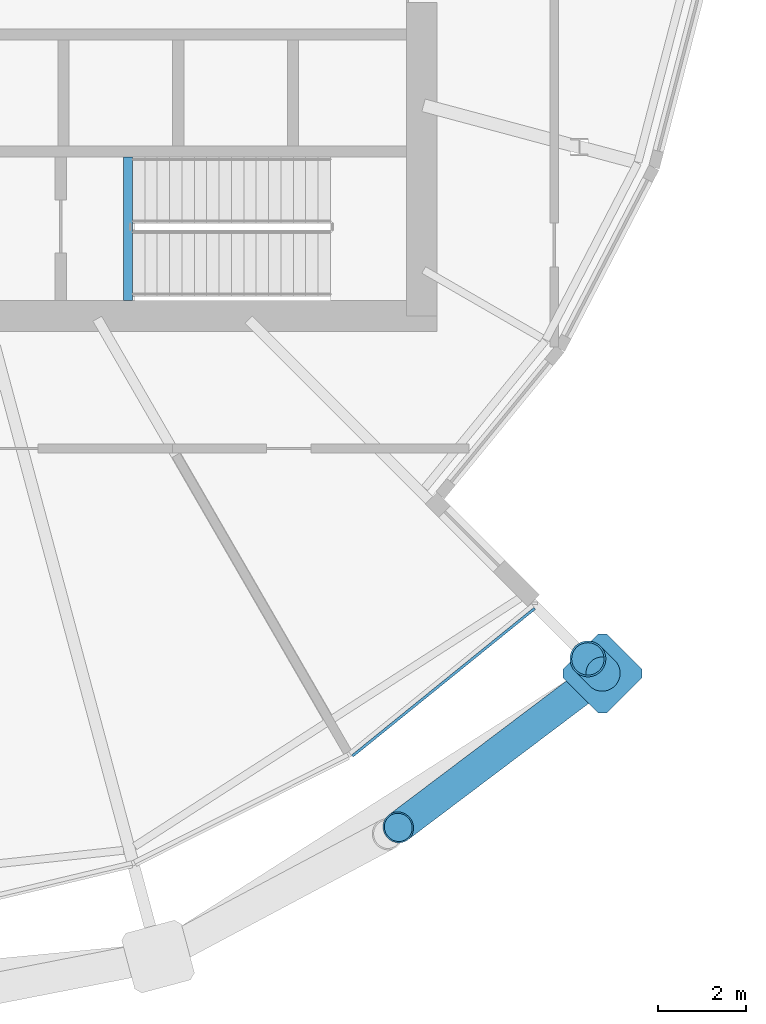
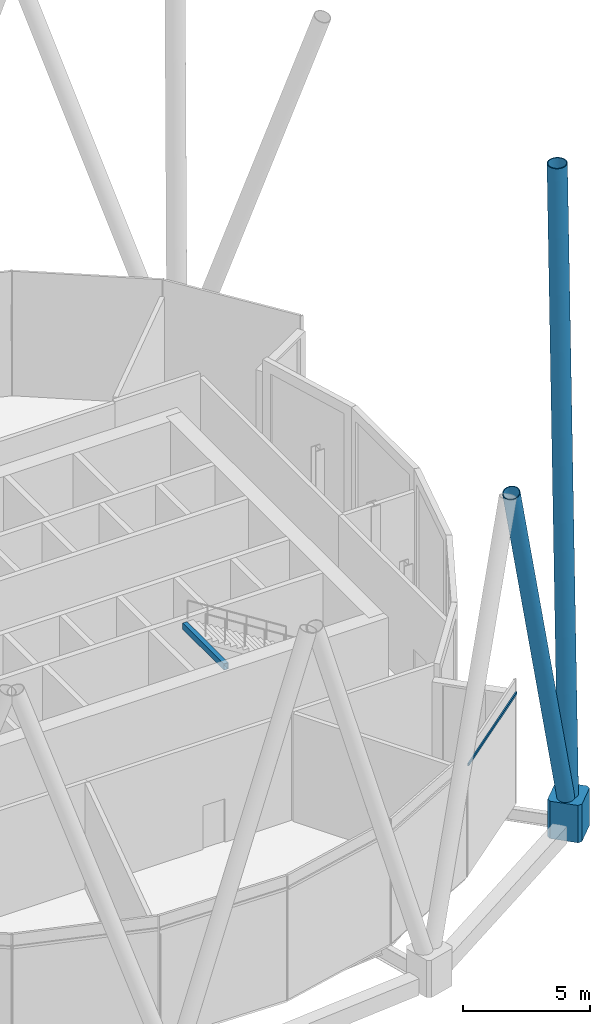
# One storey, part 23 of 39: 4 members, 1 beam, 1 element without a shape of its own.
"""IFC4 building model written with IfcOpenShell, lengths in metres."""

import ifcopenshell
import ifcopenshell.guid

model = None  # the IFC model being written
_history = None  # IfcOwnerHistory: only IFC2X3 demands one
_inside = {}  # id of a spatial element -> (the spatial element, [elements in it])
_under = {}  # id of a project, library or spatial element -> (it, [spatial elements below it])
_declared = {}  # id of a project -> (the project, [libraries it declares])
_typed = {}  # id of a type object -> (the type object, [elements of that type])
_made_of = {}  # id of a material, layer set ... -> (it, [elements and type objects made of it])


def new_model(schema):
    """Start an empty IFC model of exactly this schema.

    Asked for "IFC4X3", IfcOpenShell would pick the latest addendum, in which some entities
    have other attributes; the version numbers below select the first issue.
    IFC2X3 requires an IfcOwnerHistory on every rooted entity: one is made here for all.
    """
    global model, _history
    if schema == "IFC4X3":
        model = ifcopenshell.file(schema_version=(4, 3, 0, 0))
    else:
        model = ifcopenshell.file(schema=schema)
    _inside.clear()
    _under.clear()
    _declared.clear()
    _typed.clear()
    _made_of.clear()
    _history = None
    if model.schema == "IFC2X3":
        org = make("IfcOrganization", Name="unknown")
        user = make(
            "IfcPersonAndOrganization",
            ThePerson=make("IfcPerson", FamilyName="unknown"),
            TheOrganization=org,
        )
        app = make(
            "IfcApplication",
            ApplicationDeveloper=org,
            Version="unknown",
            ApplicationFullName="unknown",
            ApplicationIdentifier="unknown",
        )
        _history = make(
            "IfcOwnerHistory",
            OwningUser=user,
            OwningApplication=app,
            ChangeAction="ADDED",
            CreationDate=0,
        )
    return model


def make(cls, **values):
    """One entity of the class cls with the attributes given. An attribute that is None is left unset."""
    return model.create_entity(
        cls, **{name: value for name, value in values.items() if value is not None}
    )


def rooted(cls, **values):
    """An entity with a GlobalId (a new one), such as an element, a storey or a relation."""
    return make(cls, GlobalId=ifcopenshell.guid.new(), OwnerHistory=_history, **values)


def si_unit(unit_type, name, prefix=None):
    """IfcSIUnit, for example si_unit("LENGTHUNIT", "METRE", prefix="MILLI")."""
    return make("IfcSIUnit", UnitType=unit_type, Prefix=prefix, Name=name)


def assignment(units):
    """IfcUnitAssignment: the units of a project."""
    return None if units is None else make("IfcUnitAssignment", Units=units)


def point(xyz):
    """IfcCartesianPoint."""
    return None if xyz is None else make("IfcCartesianPoint", Coordinates=xyz)


def direction(xyz):
    """IfcDirection."""
    return None if xyz is None else make("IfcDirection", DirectionRatios=xyz)


def frame(location, z_axis=None, x_axis=None):
    """IfcAxis2Placement3D, a coordinate frame: its origin and axes. An axis left out is left unset."""
    return make(
        "IfcAxis2Placement3D",
        Location=point(location),
        Axis=direction(z_axis),
        RefDirection=direction(x_axis),
    )


def frame_2d(location, x_axis=None):
    """IfcAxis2Placement2D, a coordinate frame in the plane: its origin and x axis."""
    return make(
        "IfcAxis2Placement2D", Location=point(location), RefDirection=direction(x_axis)
    )


def origin():
    """The frame at (0, 0, 0) with its axes left unset."""
    return frame((0.0, 0.0, 0.0))


def origin_2d():
    """The frame at (0, 0) in the plane with its x axis left unset."""
    return frame_2d((0.0, 0.0))


def place(relative_to, where):
    """IfcLocalPlacement: puts the frame where relative to a parent placement (None: the world)."""
    return make(
        "IfcLocalPlacement", PlacementRelTo=relative_to, RelativePlacement=where
    )


def context(
    kind, dimensions, precision=None, world=None, true_north=None, identifier=None
):
    """IfcGeometricRepresentationContext, for example the 3D "Model" context."""
    return make(
        "IfcGeometricRepresentationContext",
        ContextIdentifier=identifier,
        ContextType=kind,
        CoordinateSpaceDimension=dimensions,
        Precision=precision,
        WorldCoordinateSystem=world,
        TrueNorth=true_north,
    )


def subcontext(parent, identifier, kind, view, scale=None):
    """IfcGeometricRepresentationSubContext, for example "Body" below "Model"."""
    return make(
        "IfcGeometricRepresentationSubContext",
        ContextIdentifier=identifier,
        ContextType=kind,
        ParentContext=parent,
        TargetScale=scale,
        TargetView=view,
    )


def project(units=None, contexts=None):
    """IfcProject with its units and contexts."""
    return rooted(
        "IfcProject",
        Name="project",
        RepresentationContexts=contexts,
        UnitsInContext=assignment(units),
    )


def spatial(cls, under=None, at=None, **own):
    """A site, building, storey or space (cls), placed at a placement, below another one or the project."""
    s = rooted(cls, ObjectPlacement=at, **own)
    if under is not None:
        _under.setdefault(under.id(), (under, []))[1].append(s)
    return s


def polyline(points):
    """IfcPolyline through the points."""
    return make("IfcPolyline", Points=[point(p) for p in points])


def profile(cls, at=None, kind="AREA", **sizes):
    """A parametric profile (cls). Its sizes go by their IFC names, for example OverallWidth=200.0."""
    return make(cls, ProfileType=kind, Position=at, **sizes)


def rectangle(**sizes):
    """IfcRectangleProfileDef."""
    return profile("IfcRectangleProfileDef", **sizes)


def hollow_rectangle(**sizes):
    """IfcRectangleHollowProfileDef."""
    return profile("IfcRectangleHollowProfileDef", **sizes)


def hollow_circle(**sizes):
    """IfcCircleHollowProfileDef."""
    return profile("IfcCircleHollowProfileDef", **sizes)


def outline(outer, holes=None, kind="AREA"):
    """IfcArbitraryClosedProfileDef: a profile drawn as a closed curve; with holes, ...WithVoids."""
    if holes is None:
        return make("IfcArbitraryClosedProfileDef", ProfileType=kind, OuterCurve=outer)
    return make(
        "IfcArbitraryProfileDefWithVoids",
        ProfileType=kind,
        OuterCurve=outer,
        InnerCurves=holes,
    )


def extrude(swept, where, along, depth):
    """IfcExtrudedAreaSolid: the profile swept, set in the frame where, extruded along a direction by depth."""
    return make(
        "IfcExtrudedAreaSolid",
        SweptArea=swept,
        Position=where,
        ExtrudedDirection=direction(along),
        Depth=depth,
    )


def shape(context_of_items, identifier, shape_type, items):
    """IfcShapeRepresentation: the items that make up one representation, for example the "Body"."""
    return make(
        "IfcShapeRepresentation",
        ContextOfItems=context_of_items,
        RepresentationIdentifier=identifier,
        RepresentationType=shape_type,
        Items=items,
    )


def material(Name=None, Category=None):
    """IfcMaterial."""
    return make("IfcMaterial", Name=Name, Category=Category)


def material_profile(
    of_material, cross_section, Name=None, Category=None, Priority=None
):
    """IfcMaterialProfile: a cross section and its material."""
    return make(
        "IfcMaterialProfile",
        Name=Name,
        Material=of_material,
        Profile=cross_section,
        Priority=Priority,
        Category=Category,
    )


def profile_set(profiles, Name=None, composite=None):
    """IfcMaterialProfileSet."""
    return make(
        "IfcMaterialProfileSet",
        Name=Name,
        MaterialProfiles=profiles,
        CompositeProfile=composite,
    )


def made_of(thing, what):
    """Note that an element or type object is made of a material, layer set ...; save() writes the relation."""
    if what is not None:
        _made_of.setdefault(what.id(), (what, []))[1].append(thing)
    return thing


def type_object(cls, material=None, **own):
    """A type object (cls), such as IfcWallType, which elements share."""
    return made_of(rooted(cls, **own), material)


def element(
    cls,
    number,
    at=None,
    inside=None,
    cuts=None,
    type_object=None,
    material=None,
    context=None,
    identifier="Body",
    shape_type=None,
    held_by="IfcProductDefinitionShape",
    body=None,
    shapes=None,
    **own,
):
    """One element of the class cls, such as IfcWall. Its Tag is "e" and its number.

    at: its placement. inside: the storey or other place that contains it. cuts: it is an
    opening in that element (IfcRelVoidsElement). A single representation is given by context,
    identifier, shape_type and body (its items); several are given by shapes. held_by: the class
    of the entity that holds the representations. save() writes the other relations.
    """
    e = rooted(cls, Tag="e%d" % number, ObjectPlacement=at, **own)
    if body is not None:
        shapes = [shape(context, identifier, shape_type, body)]
    if shapes is not None:
        e.Representation = make(held_by, Representations=shapes)
    if inside is not None:
        _inside.setdefault(inside.id(), (inside, []))[1].append(e)
    if cuts is not None:
        rooted(
            "IfcRelVoidsElement", RelatingBuildingElement=cuts, RelatedOpeningElement=e
        )
    if type_object is not None:
        _typed.setdefault(type_object.id(), (type_object, []))[1].append(e)
    return made_of(e, material)


def aggregate(whole, parts):
    """IfcRelAggregates: a whole, such as a stair, and the parts it consists of."""
    return rooted("IfcRelAggregates", RelatingObject=whole, RelatedObjects=parts)


def save(model, path):
    """Write the relations noted so far, then the file.

    IfcRelAggregates (storeys below a building ...), IfcRelContainedInSpatialStructure (elements
    in a storey), IfcRelDefinesByType, IfcRelAssociatesMaterial and IfcRelDeclares: one each for
    every whole, place, type object, material and project.
    """
    for whole, parts in _under.values():
        aggregate(whole, parts)
    for where, things in _inside.values():
        rooted(
            "IfcRelContainedInSpatialStructure",
            RelatedElements=things,
            RelatingStructure=where,
        )
    for kind, things in _typed.values():
        rooted("IfcRelDefinesByType", RelatedObjects=things, RelatingType=kind)
    for what, things in _made_of.values():
        rooted("IfcRelAssociatesMaterial", RelatedObjects=things, RelatingMaterial=what)
    for by, libraries in _declared.values():
        rooted("IfcRelDeclares", RelatingContext=by, RelatedDefinitions=libraries)
    model.write(path)


model = new_model("IFC4")

# Units and contexts
model_context = context("Model", 3, precision=1e-05, world=origin(), true_north=direction((0.0, 1.0)))
body_context = subcontext(model_context, "Body", "Model", "MODEL_VIEW")
ifc_project = project(units=[si_unit("LENGTHUNIT", "METRE"), si_unit("AREAUNIT", "SQUARE_METRE"), si_unit("VOLUMEUNIT", "CUBIC_METRE"), si_unit("PLANEANGLEUNIT", "RADIAN"), si_unit("MASSUNIT", "GRAM", prefix="KILO")], contexts=[model_context])

# Site, building, storey
site_placement = place(None, origin())
site = spatial("IfcSite", under=ifc_project, at=site_placement, CompositionType="ELEMENT")
building_placement = place(site_placement, origin())
building = spatial("IfcBuilding", under=site, at=building_placement, Name="Rimbun Link Towers", CompositionType="ELEMENT")
storey_placement = place(building_placement, frame((0.0, 0.0, 127.199951171875)))
storey = spatial("IfcBuildingStorey", under=building, at=storey_placement, Name="L31", CompositionType="ELEMENT", Elevation=127.199951171875)

# Curtain wall, member
ifc_material_1 = material(Name="Aluminium 6063-T6 louvre wall", Category="aluminium")
curtain_wall_type = type_object("IfcCurtainWallType", Name="CW6 plant floor louvre wall", PredefinedType="NOTDEFINED", material=ifc_material_1)
curtain_wall_placement = place(storey_placement, origin())
curtain_wall = element("IfcCurtainWall", 1, at=curtain_wall_placement, inside=storey, type_object=curtain_wall_type, Name="CW6 L31 T2", PredefinedType="NOTDEFINED")
ifc_material_2 = material(Name="Aluminium 6063-T6", Category="aluminium")
ifc_material_profile_1 = material_profile(ifc_material_2, rectangle(XDim=0.06005859375, YDim=0.1201171875, at=origin_2d()), Name="TRANSOM 60X120")
ifc_profile_set_1 = profile_set([ifc_material_profile_1], Name="Aluminium 6063-T6")
member_type_1 = type_object("IfcMemberType", Name="CW6 transom 60X120", PredefinedType="USERDEFINED", material=ifc_profile_set_1)
member_1_placement = place(storey_placement, frame((46.307373046875, -14.618896484375, 5.400146484375), z_axis=(-0.777291954435, -0.629140061967, 0.0), x_axis=(0.629140061967, -0.777291954435, 0.0)))
member_1 = element("IfcMember", 2, at=member_1_placement, type_object=member_type_1, Name="CW6 transom", ObjectType="TRANSOM", PredefinedType="USERDEFINED", context=body_context, shape_type="SweptSolid", body=[
    extrude(rectangle(XDim=0.06005859375, YDim=0.1201171875, at=origin_2d()), origin(), (0.0, 0.0, 1.0), 5.312744140625),
])
aggregate(curtain_wall, [member_1])

# Members
ifc_material_3 = material(Name="Steel S460NH", Category="steel")
ifc_material_profile_2 = material_profile(ifc_material_3, hollow_circle(Radius=0.355712890625, WallThickness=0.031982421875, at=origin_2d()), Name="Diagrid diagonal CHS 711x32")
ifc_profile_set_2 = profile_set([ifc_material_profile_2], Name="Steel S460NH")
member_type_2 = type_object("IfcMemberType", Name="Diagrid diagonal CHS 711x32", PredefinedType="BRACE", material=ifc_profile_set_2)
member_2_placement = place(storey_placement, frame((47.72412109375, -16.177001953125, 0.478515625), z_axis=(-0.231322497566, -0.174494571473, 0.957100593797), x_axis=(0.602212416763, -0.798335897412, 0.0)))
element("IfcMember", 3, at=member_2_placement, inside=storey, type_object=member_type_2, Name="Diagrid diagonal T2 L31-L35 18a", PredefinedType="BRACE", context=body_context, shape_type="SweptSolid", body=[
    extrude(hollow_circle(Radius=0.355712890625, WallThickness=0.031982421875, at=origin_2d()), origin(), (0.0, 0.0, 1.0), 19.478759765625),
])
ifc_material_4 = material(Name="Cast steel G20Mn5+QT, Rp0.2 300 MPa", Category="steel")
ifc_material_profile_3 = material_profile(ifc_material_4, outline(polyline([(0.699951171875, -0.570068359375), (0.699951171875, 0.570068359375), (0.570068359375, 0.699951171875), (-0.570068359375, 0.699951171875), (-0.699951171875, 0.570068359375), (-0.699951171875, -0.570068359375), (-0.570068359375, -0.699951171875), (0.570068359375, -0.699951171875), (0.699951171875, -0.570068359375)])), Name="NODE 1400x1400")
ifc_profile_set_3 = profile_set([ifc_material_profile_3], Name="Cast steel G20Mn5+QT, Rp0.2 300 MPa")
member_type_3 = type_object("IfcMemberType", Name="Diagrid node cast 1400", PredefinedType="USERDEFINED", material=ifc_profile_set_3)
member_3_placement = place(storey_placement, frame((47.83984375, -16.08984375, -0.89990234375), z_axis=(0.0, 0.0, 1.0), x_axis=(0.707106781187, -0.707106781187, 0.0)))
element("IfcMember", 4, at=member_3_placement, inside=storey, type_object=member_type_3, Name="Diagrid node L31 18", ObjectType="Diagrid node", PredefinedType="USERDEFINED", context=body_context, shape_type="SweptSolid", body=[
    extrude(outline(polyline([(0.699951171875, -0.570068359375), (0.699951171875, 0.570068359375), (0.570068359375, 0.699951171875), (-0.570068359375, 0.699951171875), (-0.699951171875, 0.570068359375), (-0.699951171875, -0.570068359375), (-0.570068359375, -0.699951171875), (0.570068359375, -0.699951171875), (0.699951171875, -0.570068359375)])), origin(), (0.0, 0.0, 1.0), 1.800048828125),
])
ifc_material_5 = material(Name="Steel S460NH", Category="steel")
ifc_material_profile_4 = material_profile(ifc_material_5, hollow_circle(Radius=0.406494140625, WallThickness=0.0400390625, at=origin_2d()), Name="Slot edge CHS 813x40")
ifc_profile_set_4 = profile_set([ifc_material_profile_4], Name="Steel S460NH")
member_type_4 = type_object("IfcMemberType", Name="Slot edge CHS 813x40", PredefinedType="BRACE", material=ifc_profile_set_4)
member_4_placement = place(storey_placement, frame((47.834716796875, -16.084716796875, 0.5), z_axis=(-0.010543726979, 0.010543726979, 0.999888823641), x_axis=(-0.707106781187, -0.707106781187, 0.0)))
element("IfcMember", 5, at=member_4_placement, inside=storey, type_object=member_type_4, Name="Slot edge T2 L31-L38 18", PredefinedType="BRACE", context=body_context, shape_type="SweptSolid", body=[
    extrude(hollow_circle(Radius=0.406494140625, WallThickness=0.0400390625, at=origin_2d()), origin(), (0.0, 0.0, 1.0), 30.70361328125),
])

# Beam
ifc_material_6 = material(Name="Steel S355J2", Category="steel")
ifc_material_profile_5 = material_profile(ifc_material_6, hollow_rectangle(XDim=0.199951171875, YDim=0.300048828125, WallThickness=0.011962890625, at=origin_2d()), Name="BOX 300x200x12")
ifc_profile_set_5 = profile_set([ifc_material_profile_5], Name="Steel S355J2")
beam_type = type_object("IfcBeamType", Name="Stair trimmer beam BOX 300x200x12", PredefinedType="BEAM", material=ifc_profile_set_5)
beam_placement = place(storey_placement, frame((37.10009765625, -7.64990234375, 5.670166015625), z_axis=(0.0, 1.0, 0.0), x_axis=(-1.0, 0.0, 0.0)))
element("IfcBeam", 6, at=beam_placement, inside=storey, type_object=beam_type, Name="L31 ST4 stair beam 1", PredefinedType="BEAM", context=body_context, shape_type="SweptSolid", body=[
    extrude(hollow_rectangle(XDim=0.199951171875, YDim=0.300048828125, WallThickness=0.011962890625, at=origin_2d()), origin(), (0.0, 0.0, 1.0), 3.25),
])

save(model, "model.ifc")
